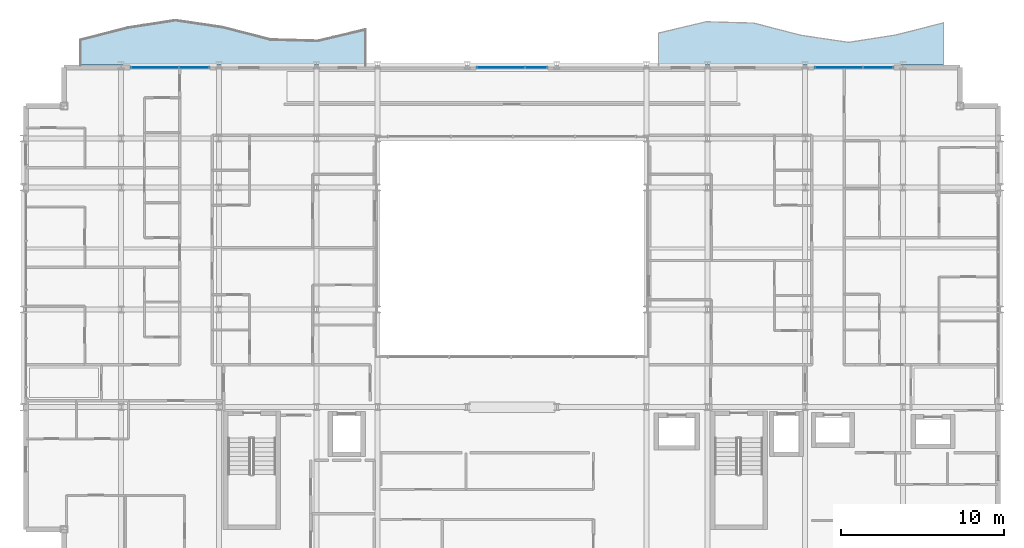
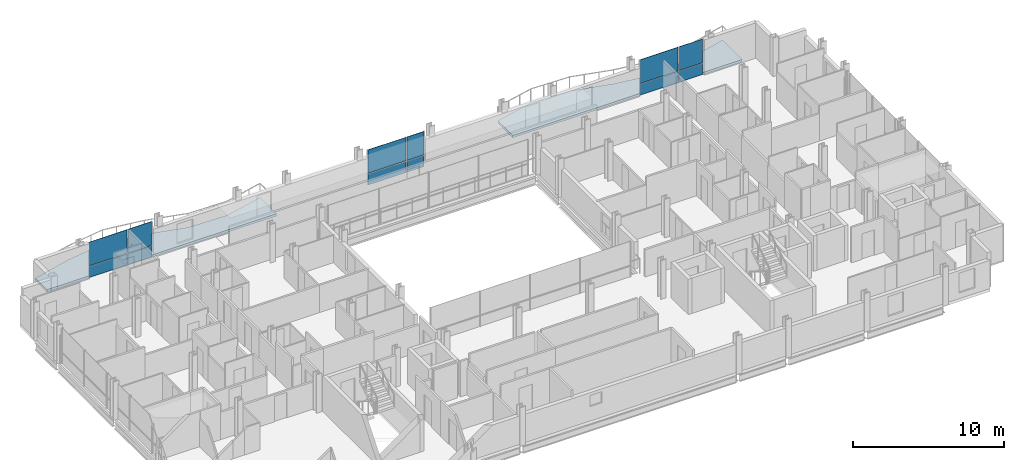
# One storey, part 29 of 41: 12 plates, 2 slabs, 3 elements without a shape of their own.
"""IFC4 building model written with IfcOpenShell, lengths in metres."""

import ifcopenshell
import ifcopenshell.guid

model = None  # the IFC model being written
_history = None  # IfcOwnerHistory: only IFC2X3 demands one
_inside = {}  # id of a spatial element -> (the spatial element, [elements in it])
_under = {}  # id of a project, library or spatial element -> (it, [spatial elements below it])
_declared = {}  # id of a project -> (the project, [libraries it declares])
_typed = {}  # id of a type object -> (the type object, [elements of that type])
_made_of = {}  # id of a material, layer set ... -> (it, [elements and type objects made of it])


def new_model(schema):
    """Start an empty IFC model of exactly this schema.

    Asked for "IFC4X3", IfcOpenShell would pick the latest addendum, in which some entities
    have other attributes; the version numbers below select the first issue.
    IFC2X3 requires an IfcOwnerHistory on every rooted entity: one is made here for all.
    """
    global model, _history
    if schema == "IFC4X3":
        model = ifcopenshell.file(schema_version=(4, 3, 0, 0))
    else:
        model = ifcopenshell.file(schema=schema)
    _inside.clear()
    _under.clear()
    _declared.clear()
    _typed.clear()
    _made_of.clear()
    _history = None
    if model.schema == "IFC2X3":
        org = make("IfcOrganization", Name="unknown")
        user = make(
            "IfcPersonAndOrganization",
            ThePerson=make("IfcPerson", FamilyName="unknown"),
            TheOrganization=org,
        )
        app = make(
            "IfcApplication",
            ApplicationDeveloper=org,
            Version="unknown",
            ApplicationFullName="unknown",
            ApplicationIdentifier="unknown",
        )
        _history = make(
            "IfcOwnerHistory",
            OwningUser=user,
            OwningApplication=app,
            ChangeAction="ADDED",
            CreationDate=0,
        )
    return model


def make(cls, **values):
    """One entity of the class cls with the attributes given. An attribute that is None is left unset."""
    return model.create_entity(
        cls, **{name: value for name, value in values.items() if value is not None}
    )


def rooted(cls, **values):
    """An entity with a GlobalId (a new one), such as an element, a storey or a relation."""
    return make(cls, GlobalId=ifcopenshell.guid.new(), OwnerHistory=_history, **values)


def si_unit(unit_type, name, prefix=None):
    """IfcSIUnit, for example si_unit("LENGTHUNIT", "METRE", prefix="MILLI")."""
    return make("IfcSIUnit", UnitType=unit_type, Prefix=prefix, Name=name)


def assignment(units):
    """IfcUnitAssignment: the units of a project."""
    return None if units is None else make("IfcUnitAssignment", Units=units)


def point(xyz):
    """IfcCartesianPoint."""
    return None if xyz is None else make("IfcCartesianPoint", Coordinates=xyz)


def direction(xyz):
    """IfcDirection."""
    return None if xyz is None else make("IfcDirection", DirectionRatios=xyz)


def frame(location, z_axis=None, x_axis=None):
    """IfcAxis2Placement3D, a coordinate frame: its origin and axes. An axis left out is left unset."""
    return make(
        "IfcAxis2Placement3D",
        Location=point(location),
        Axis=direction(z_axis),
        RefDirection=direction(x_axis),
    )


def frame_2d(location, x_axis=None):
    """IfcAxis2Placement2D, a coordinate frame in the plane: its origin and x axis."""
    return make(
        "IfcAxis2Placement2D", Location=point(location), RefDirection=direction(x_axis)
    )


def origin():
    """The frame at (0, 0, 0) with its axes left unset."""
    return frame((0.0, 0.0, 0.0))


def origin_2d():
    """The frame at (0, 0) in the plane with its x axis left unset."""
    return frame_2d((0.0, 0.0))


def place(relative_to, where):
    """IfcLocalPlacement: puts the frame where relative to a parent placement (None: the world)."""
    return make(
        "IfcLocalPlacement", PlacementRelTo=relative_to, RelativePlacement=where
    )


def context(
    kind, dimensions, precision=None, world=None, true_north=None, identifier=None
):
    """IfcGeometricRepresentationContext, for example the 3D "Model" context."""
    return make(
        "IfcGeometricRepresentationContext",
        ContextIdentifier=identifier,
        ContextType=kind,
        CoordinateSpaceDimension=dimensions,
        Precision=precision,
        WorldCoordinateSystem=world,
        TrueNorth=true_north,
    )


def subcontext(parent, identifier, kind, view, scale=None):
    """IfcGeometricRepresentationSubContext, for example "Body" below "Model"."""
    return make(
        "IfcGeometricRepresentationSubContext",
        ContextIdentifier=identifier,
        ContextType=kind,
        ParentContext=parent,
        TargetScale=scale,
        TargetView=view,
    )


def project(units=None, contexts=None):
    """IfcProject with its units and contexts."""
    return rooted(
        "IfcProject",
        Name="project",
        RepresentationContexts=contexts,
        UnitsInContext=assignment(units),
    )


def spatial(cls, under=None, at=None, **own):
    """A site, building, storey or space (cls), placed at a placement, below another one or the project."""
    s = rooted(cls, ObjectPlacement=at, **own)
    if under is not None:
        _under.setdefault(under.id(), (under, []))[1].append(s)
    return s


def polyline(points):
    """IfcPolyline through the points."""
    return make("IfcPolyline", Points=[point(p) for p in points])


def profile(cls, at=None, kind="AREA", **sizes):
    """A parametric profile (cls). Its sizes go by their IFC names, for example OverallWidth=200.0."""
    return make(cls, ProfileType=kind, Position=at, **sizes)


def rectangle(**sizes):
    """IfcRectangleProfileDef."""
    return profile("IfcRectangleProfileDef", **sizes)


def outline(outer, holes=None, kind="AREA"):
    """IfcArbitraryClosedProfileDef: a profile drawn as a closed curve; with holes, ...WithVoids."""
    if holes is None:
        return make("IfcArbitraryClosedProfileDef", ProfileType=kind, OuterCurve=outer)
    return make(
        "IfcArbitraryProfileDefWithVoids",
        ProfileType=kind,
        OuterCurve=outer,
        InnerCurves=holes,
    )


def extrude(swept, where, along, depth):
    """IfcExtrudedAreaSolid: the profile swept, set in the frame where, extruded along a direction by depth."""
    return make(
        "IfcExtrudedAreaSolid",
        SweptArea=swept,
        Position=where,
        ExtrudedDirection=direction(along),
        Depth=depth,
    )


def shape(context_of_items, identifier, shape_type, items):
    """IfcShapeRepresentation: the items that make up one representation, for example the "Body"."""
    return make(
        "IfcShapeRepresentation",
        ContextOfItems=context_of_items,
        RepresentationIdentifier=identifier,
        RepresentationType=shape_type,
        Items=items,
    )


def material(Name=None, Category=None):
    """IfcMaterial."""
    return make("IfcMaterial", Name=Name, Category=Category)


def layer(
    of_material, thickness, ventilated=None, Name=None, Category=None, Priority=None
):
    """IfcMaterialLayer: one layer of a wall or slab, of a material (None: an air gap)."""
    return make(
        "IfcMaterialLayer",
        Material=of_material,
        LayerThickness=thickness,
        IsVentilated=ventilated,
        Name=Name,
        Category=Category,
        Priority=Priority,
    )


def layer_set(layers, Name=None):
    """IfcMaterialLayerSet."""
    return make("IfcMaterialLayerSet", MaterialLayers=layers, LayerSetName=Name)


def made_of(thing, what):
    """Note that an element or type object is made of a material, layer set ...; save() writes the relation."""
    if what is not None:
        _made_of.setdefault(what.id(), (what, []))[1].append(thing)
    return thing


def type_object(cls, material=None, **own):
    """A type object (cls), such as IfcWallType, which elements share."""
    return made_of(rooted(cls, **own), material)


def element(
    cls,
    number,
    at=None,
    inside=None,
    cuts=None,
    type_object=None,
    material=None,
    context=None,
    identifier="Body",
    shape_type=None,
    held_by="IfcProductDefinitionShape",
    body=None,
    shapes=None,
    **own,
):
    """One element of the class cls, such as IfcWall. Its Tag is "e" and its number.

    at: its placement. inside: the storey or other place that contains it. cuts: it is an
    opening in that element (IfcRelVoidsElement). A single representation is given by context,
    identifier, shape_type and body (its items); several are given by shapes. held_by: the class
    of the entity that holds the representations. save() writes the other relations.
    """
    e = rooted(cls, Tag="e%d" % number, ObjectPlacement=at, **own)
    if body is not None:
        shapes = [shape(context, identifier, shape_type, body)]
    if shapes is not None:
        e.Representation = make(held_by, Representations=shapes)
    if inside is not None:
        _inside.setdefault(inside.id(), (inside, []))[1].append(e)
    if cuts is not None:
        rooted(
            "IfcRelVoidsElement", RelatingBuildingElement=cuts, RelatedOpeningElement=e
        )
    if type_object is not None:
        _typed.setdefault(type_object.id(), (type_object, []))[1].append(e)
    return made_of(e, material)


def aggregate(whole, parts):
    """IfcRelAggregates: a whole, such as a stair, and the parts it consists of."""
    return rooted("IfcRelAggregates", RelatingObject=whole, RelatedObjects=parts)


def save(model, path):
    """Write the relations noted so far, then the file.

    IfcRelAggregates (storeys below a building ...), IfcRelContainedInSpatialStructure (elements
    in a storey), IfcRelDefinesByType, IfcRelAssociatesMaterial and IfcRelDeclares: one each for
    every whole, place, type object, material and project.
    """
    for whole, parts in _under.values():
        aggregate(whole, parts)
    for where, things in _inside.values():
        rooted(
            "IfcRelContainedInSpatialStructure",
            RelatedElements=things,
            RelatingStructure=where,
        )
    for kind, things in _typed.values():
        rooted("IfcRelDefinesByType", RelatedObjects=things, RelatingType=kind)
    for what, things in _made_of.values():
        rooted("IfcRelAssociatesMaterial", RelatedObjects=things, RelatingMaterial=what)
    for by, libraries in _declared.values():
        rooted("IfcRelDeclares", RelatingContext=by, RelatedDefinitions=libraries)
    model.write(path)


model = new_model("IFC4")

# Units and contexts
model_context = context("Model", 3, precision=1e-05, world=origin(), true_north=direction((0.0, 1.0)))
body_context = subcontext(model_context, "Body", "Model", "MODEL_VIEW")
ifc_project = project(units=[si_unit("LENGTHUNIT", "METRE"), si_unit("AREAUNIT", "SQUARE_METRE"), si_unit("VOLUMEUNIT", "CUBIC_METRE"), si_unit("PLANEANGLEUNIT", "RADIAN"), si_unit("MASSUNIT", "GRAM", prefix="KILO")], contexts=[model_context])

# Site, building, storey
site_placement = place(None, origin())
site = spatial("IfcSite", under=ifc_project, at=site_placement, CompositionType="ELEMENT")
building_placement = place(site_placement, origin())
building = spatial("IfcBuilding", under=site, at=building_placement, Name="Brevholm Reach", CompositionType="ELEMENT")
storey_placement = place(building_placement, frame((0.0, 0.0, 93.10009765625)))
storey = spatial("IfcBuildingStorey", under=building, at=storey_placement, Name="L27", CompositionType="ELEMENT", Elevation=93.10009765625)

# Curtain wall, plates
ifc_material_1 = material(Name="Dark Anodised Aluminium 6063-T6 and Solar-Control Glass", Category="aluminium")
ifc_layer_1 = layer(ifc_material_1, 0.14990234375)
ifc_layer_set_1 = layer_set([ifc_layer_1], Name="Dark Anodised Aluminium 6063-T6 and Solar-Control Glass")
curtain_wall_type = type_object("IfcCurtainWallType", Name="CW-01", PredefinedType="NOTDEFINED", material=ifc_layer_set_1)
curtain_wall_1_placement = place(storey_placement, origin())
curtain_wall_1 = element("IfcCurtainWall", 1, at=curtain_wall_1_placement, inside=storey, type_object=curtain_wall_type, Name="L27 Curtain Wall CW-01", PredefinedType="NOTDEFINED")
ifc_material_2 = material(Name="Dark Solar-Control Double-Glazed IGU Glass", Category="glass")
ifc_layer_2 = layer(ifc_material_2, 0.028076171875)
ifc_layer_set_2 = layer_set([ifc_layer_2], Name="Dark Solar-Control Double-Glazed IGU Glass")
plate_type = type_object("IfcPlateType", Name="CWP-GLZ-28", PredefinedType="CURTAIN_PANEL", material=ifc_layer_set_2)
plate_1_placement = place(storey_placement, frame((8.066162109375, 30.85009765625, 0.0), z_axis=(0.0, 0.0, 1.0), x_axis=(1.0, 0.0, 0.0)))
plate_1 = element("IfcPlate", 2, at=plate_1_placement, type_object=plate_type, Name="CP-01 Glazing Panel 1.1", PredefinedType="CURTAIN_PANEL", context=body_context, shape_type="SweptSolid", body=[
    extrude(rectangle(XDim=2.902587890625, YDim=0.028076171875, at=origin_2d()), origin(), (0.0, 0.0, 1.0), 0.867431640625),
])
plate_2_placement = place(storey_placement, frame((8.066162109375, 30.85009765625, 0.9326171875), z_axis=(0.0, 0.0, 1.0), x_axis=(1.0, 0.0, 0.0)))
plate_2 = element("IfcPlate", 3, at=plate_2_placement, type_object=plate_type, Name="CP-01 Glazing Panel 1.2", PredefinedType="CURTAIN_PANEL", context=body_context, shape_type="SweptSolid", body=[
    extrude(rectangle(XDim=2.902587890625, YDim=0.028076171875, at=origin_2d()), origin(), (0.0, 0.0, 1.0), 1.907470703125),
])
plate_3_placement = place(storey_placement, frame((10.483642578125, 30.85009765625, 0.0), z_axis=(0.0, 0.0, 1.0), x_axis=(1.0, 0.0, 0.0)))
plate_3 = element("IfcPlate", 4, at=plate_3_placement, type_object=plate_type, Name="CP-01 Glazing Panel 2.1", PredefinedType="CURTAIN_PANEL", context=body_context, shape_type="SweptSolid", body=[
    extrude(rectangle(XDim=1.802490234375, YDim=0.028076171875, at=origin_2d()), origin(), (0.0, 0.0, 1.0), 0.867431640625),
])
plate_4_placement = place(storey_placement, frame((10.483642578125, 30.85009765625, 0.9326171875), z_axis=(0.0, 0.0, 1.0), x_axis=(1.0, 0.0, 0.0)))
plate_4 = element("IfcPlate", 5, at=plate_4_placement, type_object=plate_type, Name="CP-01 Glazing Panel 2.2", PredefinedType="CURTAIN_PANEL", context=body_context, shape_type="SweptSolid", body=[
    extrude(rectangle(XDim=1.802490234375, YDim=0.028076171875, at=origin_2d()), origin(), (0.0, 0.0, 1.0), 1.907470703125),
])
aggregate(curtain_wall_1, [plate_1, plate_2, plate_3, plate_4])

curtain_wall_2_placement = place(storey_placement, origin())
curtain_wall_2 = element("IfcCurtainWall", 6, at=curtain_wall_2_placement, inside=storey, type_object=curtain_wall_type, Name="L27 Curtain Wall CW-01", PredefinedType="NOTDEFINED")
plate_5_placement = place(storey_placement, frame((29.316162109375, 30.85009765625, 0.0), z_axis=(0.0, 0.0, 1.0), x_axis=(1.0, 0.0, 0.0)))
plate_5 = element("IfcPlate", 7, at=plate_5_placement, type_object=plate_type, Name="CP-01 Glazing Panel 1.1", PredefinedType="CURTAIN_PANEL", context=body_context, shape_type="SweptSolid", body=[
    extrude(rectangle(XDim=2.902587890625, YDim=0.028076171875, at=origin_2d()), origin(), (0.0, 0.0, 1.0), 0.867431640625),
])
plate_6_placement = place(storey_placement, frame((29.316162109375, 30.85009765625, 0.9326171875), z_axis=(0.0, 0.0, 1.0), x_axis=(1.0, 0.0, 0.0)))
plate_6 = element("IfcPlate", 8, at=plate_6_placement, type_object=plate_type, Name="CP-01 Glazing Panel 1.2", PredefinedType="CURTAIN_PANEL", context=body_context, shape_type="SweptSolid", body=[
    extrude(rectangle(XDim=2.902587890625, YDim=0.028076171875, at=origin_2d()), origin(), (0.0, 0.0, 1.0), 1.907470703125),
])
plate_7_placement = place(storey_placement, frame((31.483642578125, 30.85009765625, 0.0), z_axis=(0.0, 0.0, 1.0), x_axis=(1.0, 0.0, 0.0)))
plate_7 = element("IfcPlate", 9, at=plate_7_placement, type_object=plate_type, Name="CP-01 Glazing Panel 2.1", PredefinedType="CURTAIN_PANEL", context=body_context, shape_type="SweptSolid", body=[
    extrude(rectangle(XDim=1.302490234375, YDim=0.028076171875, at=origin_2d()), origin(), (0.0, 0.0, 1.0), 0.867431640625),
])
plate_8_placement = place(storey_placement, frame((31.483642578125, 30.85009765625, 0.9326171875), z_axis=(0.0, 0.0, 1.0), x_axis=(1.0, 0.0, 0.0)))
plate_8 = element("IfcPlate", 10, at=plate_8_placement, type_object=plate_type, Name="CP-01 Glazing Panel 2.2", PredefinedType="CURTAIN_PANEL", context=body_context, shape_type="SweptSolid", body=[
    extrude(rectangle(XDim=1.302490234375, YDim=0.028076171875, at=origin_2d()), origin(), (0.0, 0.0, 1.0), 1.907470703125),
])
aggregate(curtain_wall_2, [plate_5, plate_6, plate_7, plate_8])

curtain_wall_3_placement = place(storey_placement, origin())
curtain_wall_3 = element("IfcCurtainWall", 11, at=curtain_wall_3_placement, inside=storey, type_object=curtain_wall_type, Name="L27 Curtain Wall CW-01", PredefinedType="NOTDEFINED")
plate_9_placement = place(storey_placement, frame((50.066162109375, 30.85009765625, 0.0), z_axis=(0.0, 0.0, 1.0), x_axis=(1.0, 0.0, 0.0)))
plate_9 = element("IfcPlate", 12, at=plate_9_placement, type_object=plate_type, Name="CP-01 Glazing Panel 1.1", PredefinedType="CURTAIN_PANEL", context=body_context, shape_type="SweptSolid", body=[
    extrude(rectangle(XDim=2.902587890625, YDim=0.028076171875, at=origin_2d()), origin(), (0.0, 0.0, 1.0), 0.867431640625),
])
plate_10_placement = place(storey_placement, frame((50.066162109375, 30.85009765625, 0.9326171875), z_axis=(0.0, 0.0, 1.0), x_axis=(1.0, 0.0, 0.0)))
plate_10 = element("IfcPlate", 13, at=plate_10_placement, type_object=plate_type, Name="CP-01 Glazing Panel 1.2", PredefinedType="CURTAIN_PANEL", context=body_context, shape_type="SweptSolid", body=[
    extrude(rectangle(XDim=2.902587890625, YDim=0.028076171875, at=origin_2d()), origin(), (0.0, 0.0, 1.0), 1.907470703125),
])
plate_11_placement = place(storey_placement, frame((52.483642578125, 30.85009765625, 0.0), z_axis=(0.0, 0.0, 1.0), x_axis=(1.0, 0.0, 0.0)))
plate_11 = element("IfcPlate", 14, at=plate_11_placement, type_object=plate_type, Name="CP-01 Glazing Panel 2.1", PredefinedType="CURTAIN_PANEL", context=body_context, shape_type="SweptSolid", body=[
    extrude(rectangle(XDim=1.802490234375, YDim=0.028076171875, at=origin_2d()), origin(), (0.0, 0.0, 1.0), 0.867431640625),
])
plate_12_placement = place(storey_placement, frame((52.483642578125, 30.85009765625, 0.9326171875), z_axis=(0.0, 0.0, 1.0), x_axis=(1.0, 0.0, 0.0)))
plate_12 = element("IfcPlate", 15, at=plate_12_placement, type_object=plate_type, Name="CP-01 Glazing Panel 2.2", PredefinedType="CURTAIN_PANEL", context=body_context, shape_type="SweptSolid", body=[
    extrude(rectangle(XDim=1.802490234375, YDim=0.028076171875, at=origin_2d()), origin(), (0.0, 0.0, 1.0), 1.907470703125),
])
aggregate(curtain_wall_3, [plate_9, plate_10, plate_11, plate_12])

# Slabs
ifc_material_3 = material(Name="Precast Concrete C40/50", Category="concrete")
ifc_layer_3 = layer(ifc_material_3, 0.179931640625)
ifc_layer_set_3 = layer_set([ifc_layer_3], Name="Precast Concrete C40/50")
slab_type = type_object("IfcSlabType", Name="SLB-BAL-180", PredefinedType="FLOOR", material=ifc_layer_set_3)
slab_1_placement = place(storey_placement, frame((0.0, 0.0, -0.18017578125)))
element("IfcSlab", 16, at=slab_1_placement, inside=storey, type_object=slab_type, Name="L27 Rippling External Balcony NE", PredefinedType="FLOOR", context=body_context, shape_type="SweptSolid", body=[
    extrude(outline(polyline([(39.0, 31.0), (56.5, 31.0), (56.5, 33.599609375), (53.583251953125, 32.855224609375), (50.666748046875, 32.400146484375), (47.75, 32.8330078125), (44.833251953125, 33.58447265625), (41.916748046875, 33.665283203125), (39.0, 32.969482421875), (39.0, 31.0)])), origin(), (0.0, 0.0, 1.0), 0.18017578125),
])
slab_2_placement = place(storey_placement, frame((0.0, 0.0, -0.18017578125)))
element("IfcSlab", 17, at=slab_2_placement, inside=storey, type_object=slab_type, Name="L27 Rippling External Balcony NW", PredefinedType="FLOOR", context=body_context, shape_type="SweptSolid", body=[
    extrude(outline(polyline([(3.5, 31.0), (21.0, 31.0), (21.0, 33.1806640625), (18.083251953125, 32.484619140625), (15.166748046875, 32.565673828125), (12.25, 33.31689453125), (9.333251953125, 33.75), (6.416748046875, 33.294921875), (3.5, 32.55029296875), (3.5, 31.0)])), origin(), (0.0, 0.0, 1.0), 0.18017578125),
])

save(model, "model.ifc")
